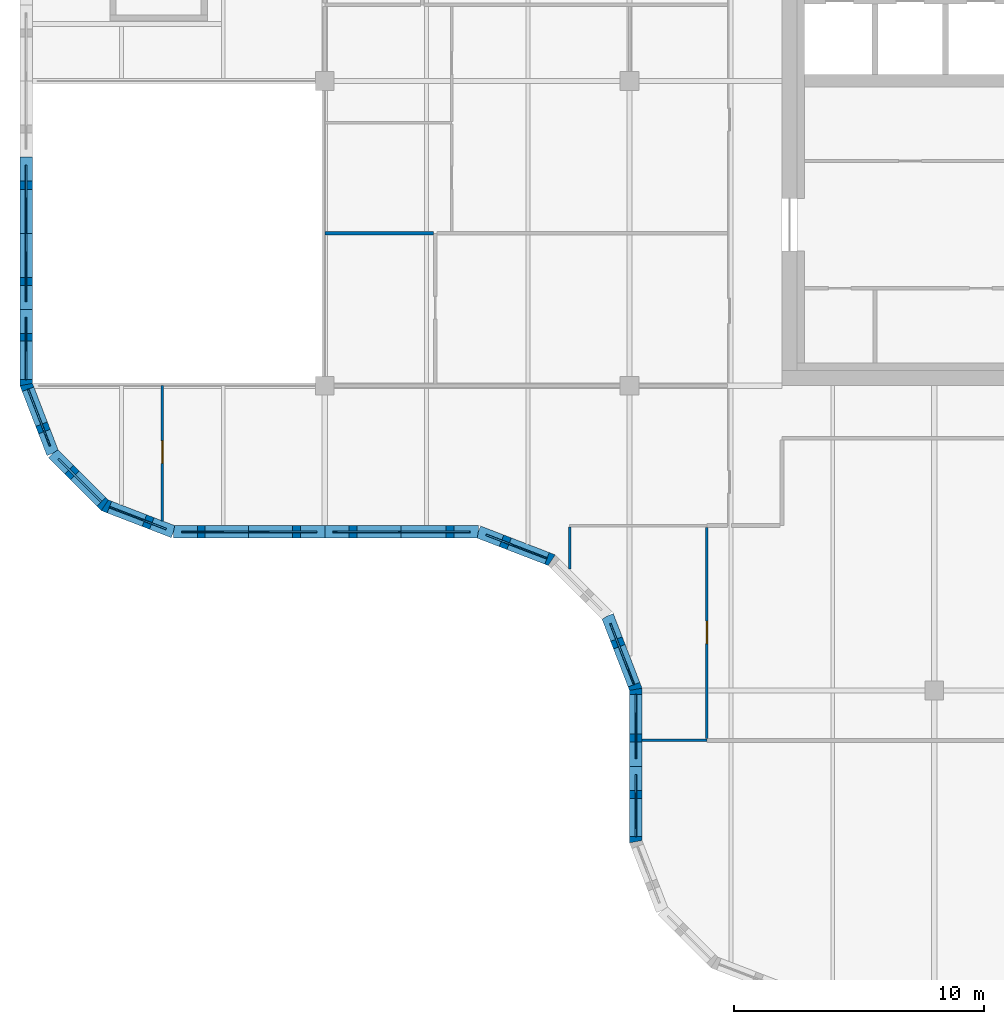
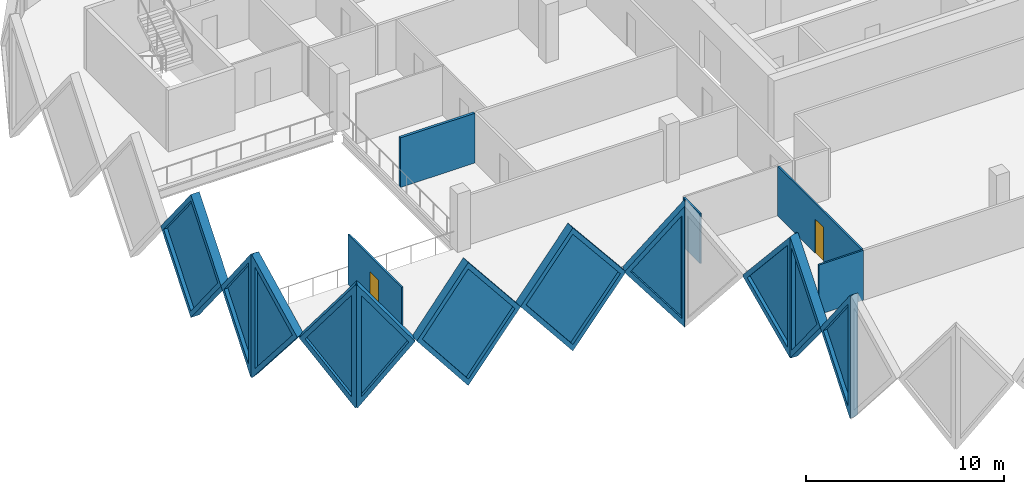
# One storey, part 3 of 11: 16 walls, 11 plates, 2 doors, 13 openings.
"""IFC4 building model written with IfcOpenShell, lengths in metres."""

from ifc_helpers import new_model, si_unit, direction, frame, frame_2d, origin, place, context, subcontext, project, spatial, polyline, rectangle, outline, extrude, faceted_brep, source, transform, mapped, material, layer, layer_set, type_object, element, fill, save


model = new_model("IFC4")

# Units and contexts
model_context = context("Model", 3, precision=1e-05, world=origin(), true_north=direction((0.0, 1.0)))
body_context = subcontext(model_context, "Body", "Model", "MODEL_VIEW")
ifc_project = project(units=[si_unit("LENGTHUNIT", "METRE"), si_unit("AREAUNIT", "SQUARE_METRE"), si_unit("VOLUMEUNIT", "CUBIC_METRE"), si_unit("PLANEANGLEUNIT", "RADIAN"), si_unit("MASSUNIT", "GRAM", prefix="KILO")], contexts=[model_context])

# Site, building, storey
site_placement = place(None, origin())
site = spatial("IfcSite", under=ifc_project, at=site_placement, CompositionType="ELEMENT")
building_placement = place(site_placement, origin())
building = spatial("IfcBuilding", under=site, at=building_placement, Name="Tessera Gate Towers", CompositionType="ELEMENT")
storey_placement = place(building_placement, frame((0.0, 0.0, 166.800048828125)))
storey = spatial("IfcBuildingStorey", under=building, at=storey_placement, Name="L41", CompositionType="ELEMENT", Elevation=166.800048828125)

# Wall
ifc_material_1 = material(Name="Glass", Category="glass")
ifc_layer_1 = layer(ifc_material_1, 0.10009765625)
ifc_layer_set_1 = layer_set([ifc_layer_1], Name="GLAZED PARTITION 100")
wall_type_1 = type_object("IfcWallType", Name="GLAZED PARTITION 100", PredefinedType="PARTITIONING", material=ifc_layer_set_1)
wall_1_placement = place(storey_placement, frame((24.89990234375, 10.199951171875, 0.0), z_axis=(0.0, 0.0, 1.0), x_axis=(1.0, 0.0, 0.0)))
element("IfcWall", 1, at=wall_1_placement, inside=storey, type_object=wall_type_1, Name="T1-L41-PW-006", PredefinedType="PARTITIONING", context=body_context, shape_type="SweptSolid", body=[
    extrude(rectangle(XDim=2.59912109375, YDim=0.10009765625, at=frame_2d((1.299560546875, 0.0))), origin(), (0.0, 0.0, 1.0), 3.06689453125),
])

# Wall, opening, door
wall_2_placement = place(storey_placement, frame((27.5, 10.27587890625, 0.0), z_axis=(0.0, 0.0, 1.0), x_axis=(0.0, 1.0, 0.0)))
wall_2 = element("IfcWall", 2, at=wall_2_placement, inside=storey, type_object=wall_type_1, Name="T1-L41-PW-008", PredefinedType="PARTITIONING", context=body_context, shape_type="SweptSolid", body=[
    extrude(rectangle(XDim=8.4482421875, YDim=0.10009765625, at=frame_2d((4.22412109375, 0.0))), origin(), (0.0, 0.0, 1.0), 3.06689453125),
])
shared_shape_1 = source(origin(), body_context, "Body", "SweptSolid", [
    extrude(rectangle(XDim=0.89990234375, YDim=2.10009765625, at=frame_2d((0.449951171875, 1.050048828125))), frame((0.0, 0.06005859375, 0.0), z_axis=(0.0, -1.0, 0.0), x_axis=(1.0, 0.0, 0.0)), (0.0, 0.0, 1.0), 0.1201171875),
])
opening_1_placement = place(wall_2_placement, frame((3.800048828125, 0.0, 0.0)))
opening_1 = element("IfcOpeningElement", 3, at=opening_1_placement, cuts=wall_2, Name="Opening D690-A15-02", PredefinedType="OPENING", context=body_context, shape_type="MappedRepresentation", body=[
    mapped(shared_shape_1, transform((0.0, 0.0, 0.0), scale=1.0)),
])
ifc_material_2 = material(Name="Glass in aluminium frame", Category="aluminium")
door_type = type_object("IfcDoorType", Name="GLAZED DOOR 900 NOT RATED", OperationType="NOTDEFINED", PredefinedType="DOOR", material=ifc_material_2)
shared_shape_2 = source(origin(), body_context, "Body", "SweptSolid", [
    extrude(rectangle(XDim=0.89990234375, YDim=2.10009765625, at=frame_2d((0.449951171875, 1.050048828125))), frame((0.0, 0.02490234375, 0.0), z_axis=(0.0, -1.0, 0.0), x_axis=(1.0, 0.0, 0.0)), (0.0, 0.0, 1.0), 0.050048828125),
])
door_1_placement = place(opening_1_placement, origin())
door_1 = element("IfcDoor", 4, at=door_1_placement, inside=storey, type_object=door_type, Name="T1-L41-PD-023", OperationType="SINGLE_SWING_LEFT", OverallHeight=2.10009765625, OverallWidth=0.89990234375, PredefinedType="DOOR", context=body_context, shape_type="MappedRepresentation", body=[
    mapped(shared_shape_2, transform((0.0, 0.0, 0.0), scale=1.0)),
])
fill(opening_1, door_1)

# Wall
wall_3_placement = place(storey_placement, frame((22.0, 17.054931640625, 0.0), z_axis=(0.0, 0.0, 1.0), x_axis=(0.0, 1.0, 0.0)))
element("IfcWall", 5, at=wall_3_placement, inside=storey, type_object=wall_type_1, Name="T1-L41-PW-012", PredefinedType="PARTITIONING", context=body_context, shape_type="SweptSolid", body=[
    extrude(rectangle(XDim=1.694091796875, YDim=0.10009765625, at=frame_2d((0.84716796875, 0.0))), origin(), (0.0, 0.0, 1.0), 3.06689453125),
])

# Wall, opening, door
wall_4_placement = place(storey_placement, frame((5.699951171875, 18.990234375, 0.0), z_axis=(0.0, 0.0, 1.0), x_axis=(0.0, 1.0, 0.0)))
wall_4 = element("IfcWall", 6, at=wall_4_placement, inside=storey, type_object=wall_type_1, Name="T1-L41-PW-020", PredefinedType="PARTITIONING", context=body_context, shape_type="SweptSolid", body=[
    extrude(rectangle(XDim=5.40966796875, YDim=0.10009765625, at=frame_2d((2.704833984375, 0.0))), origin(), (0.0, 0.0, 1.0), 3.06689453125),
])
opening_2_placement = place(wall_4_placement, frame((2.300048828125, 0.0, 0.0)))
opening_2 = element("IfcOpeningElement", 7, at=opening_2_placement, cuts=wall_4, Name="Opening D690-A15-01", PredefinedType="OPENING", context=body_context, shape_type="MappedRepresentation", body=[
    mapped(shared_shape_1, transform((0.0, 0.0, 0.0), scale=1.0)),
])
door_2_placement = place(opening_2_placement, origin())
door_2 = element("IfcDoor", 8, at=door_2_placement, inside=storey, type_object=door_type, Name="T1-L41-PD-012", OperationType="SINGLE_SWING_LEFT", OverallHeight=2.10009765625, OverallWidth=0.89990234375, PredefinedType="DOOR", context=body_context, shape_type="MappedRepresentation", body=[
    mapped(shared_shape_2, transform((0.0, 0.0, 0.0), scale=1.0)),
])
fill(opening_2, door_2)

# Wall
ifc_material_3 = material(Name="Gypsum board on steel studs, mineral wool", Category="steel")
ifc_layer_2 = layer(ifc_material_3, 0.14990234375)
ifc_layer_set_2 = layer_set([ifc_layer_2], Name="TENANCY WALL 150")
wall_type_2 = type_object("IfcWallType", Name="TENANCY WALL 150", PredefinedType="PARTITIONING", material=ifc_layer_set_2)
wall_5_placement = place(storey_placement, frame((12.199951171875, 30.5, 0.0), z_axis=(0.0, 0.0, 1.0), x_axis=(1.0, 0.0, 0.0)))
element("IfcWall", 9, at=wall_5_placement, inside=storey, type_object=wall_type_2, Name="T1-L41-PW-028", PredefinedType="PARTITIONING", context=body_context, shape_type="SweptSolid", body=[
    extrude(rectangle(XDim=4.34912109375, YDim=0.14990234375, at=frame_2d((2.174560546875, 0.0))), origin(), (0.0, 0.0, 1.0), 3.06689453125),
])

# Wall, opening, plate
ifc_material_4 = material(Name="Precast concrete C60/75 white", Category="concrete")
ifc_layer_3 = layer(ifc_material_4, 0.5)
ifc_layer_set_3 = layer_set([ifc_layer_3], Name="TS1 tessera")
wall_type_3 = type_object("IfcWallType", Name="TS1 tessera", PredefinedType="SOLIDWALL", material=ifc_layer_set_3)
shared_shape_3 = source(origin(), body_context, "Body", "Brep", [
    faceted_brep([(3.00341796875, -0.25, 0.0), (6.053466796875, -0.25, 3.800048828125), (3.00341796875, -0.25, 7.60009765625), (0.0, -0.25, 3.800048828125), (0.046630859375, 0.25, 3.85888671875), (3.00341796875, 0.25, 7.60009765625), (6.053466796875, 0.25, 3.800048828125), (3.00341796875, 0.25, 0.0), (0.046630859375, 0.25, 3.7412109375), (0.0, 0.0, 3.800048828125)], [[[0, 1, 2, 3]], [[4, 5, 6, 7, 8]], [[7, 6, 1, 0]], [[6, 5, 2, 1]], [[5, 4, 9, 3, 2]], [[8, 7, 0, 3, 9]], [[8, 9, 4]]]),
])
wall_6_placement = place(storey_placement, frame((6.146484375, 18.550048828125, -3.800048828125), z_axis=(0.0, 0.0, 1.0), x_axis=(1.0, 0.0, 0.0)))
wall_6 = element("IfcWall", 10, at=wall_6_placement, inside=storey, type_object=wall_type_3, Name="Precast tessera T1 TS1-0711", PredefinedType="SOLIDWALL", context=body_context, shape_type="MappedRepresentation", body=[
    mapped(shared_shape_3, transform((0.0, 0.0, 0.0), scale=1.0)),
])
shared_shape_4 = source(origin(), body_context, "Body", "SweptSolid", [
    extrude(outline(polyline([(3.0048828125, 0.4013671875), (5.73291015625, 3.800048828125), (3.0048828125, 7.19873046875), (0.318603515625, 3.800048828125), (3.0048828125, 0.4013671875)])), frame((0.0, 0.260009765625, 0.0), z_axis=(0.0, -1.0, 0.0), x_axis=(1.0, 0.0, 0.0)), (0.0, 0.0, 1.0), 0.52001953125),
])
opening_3_placement = place(wall_6_placement, origin())
opening_3 = element("IfcOpeningElement", 11, at=opening_3_placement, cuts=wall_6, Name="Opening T1-PL2-1447", PredefinedType="OPENING", context=body_context, shape_type="MappedRepresentation", body=[
    mapped(shared_shape_4, transform((0.0, 0.0, 0.0), scale=1.0)),
])
ifc_material_5 = material(Name="Low-e laminated glass", Category="glass")
ifc_layer_4 = layer(ifc_material_5, 0.06005859375)
ifc_layer_set_4 = layer_set([ifc_layer_4], Name="PL2 rhombic pane")
plate_type = type_object("IfcPlateType", Name="PL2 rhombic pane", PredefinedType="SHEET", material=ifc_layer_set_4)
shared_shape_5 = source(origin(), body_context, "Body", "SweptSolid", [
    extrude(outline(polyline([(3.0048828125, 0.4013671875), (5.73291015625, 3.800048828125), (3.0048828125, 7.19873046875), (0.318603515625, 3.800048828125), (3.0048828125, 0.4013671875)])), frame((0.0, 0.030029296875, 0.0), z_axis=(0.0, -1.0, 0.0), x_axis=(1.0, 0.0, 0.0)), (0.0, 0.0, 1.0), 0.06005859375),
])
plate_1_placement = place(opening_3_placement, origin())
plate_1 = element("IfcPlate", 12, at=plate_1_placement, inside=storey, type_object=plate_type, Name="Glass pane T1 PL2-1447", PredefinedType="SHEET", context=body_context, shape_type="MappedRepresentation", body=[
    mapped(shared_shape_5, transform((0.0, 0.0, 0.0), scale=1.0)),
])
fill(opening_3, plate_1)

shared_shape_6 = source(origin(), body_context, "Body", "SweptSolid", [
    extrude(outline(polyline([(3.050048828125, 0.0), (6.10009765625, 3.800048828125), (3.050048828125, 7.60009765625), (0.0, 3.800048828125), (3.050048828125, 0.0)])), frame((0.0, 0.25, 0.0), z_axis=(0.0, -1.0, 0.0), x_axis=(1.0, 0.0, 0.0)), (0.0, 0.0, 1.0), 0.5),
])
wall_7_placement = place(storey_placement, frame((0.25, 33.550048828125, -3.800048828125), z_axis=(0.0, 0.0, 1.0), x_axis=(0.0, -1.0, 0.0)))
wall_7 = element("IfcWall", 13, at=wall_7_placement, inside=storey, type_object=wall_type_3, Name="Precast tessera T1 TS1-0710", PredefinedType="SOLIDWALL", context=body_context, shape_type="MappedRepresentation", body=[
    mapped(shared_shape_6, transform((0.0, 0.0, 0.0), scale=1.0)),
])
shared_shape_7 = source(origin(), body_context, "Body", "SweptSolid", [
    extrude(outline(polyline([(3.050048828125, 0.3994140625), (5.779541015625, 3.800048828125), (3.050048828125, 7.20068359375), (0.320556640625, 3.800048828125), (3.050048828125, 0.3994140625)])), frame((0.0, 0.260009765625, 0.0), z_axis=(0.0, -1.0, 0.0), x_axis=(1.0, 0.0, 0.0)), (0.0, 0.0, 1.0), 0.52001953125),
])
opening_4_placement = place(wall_7_placement, origin())
opening_4 = element("IfcOpeningElement", 14, at=opening_4_placement, cuts=wall_7, Name="Opening T1-PL2-1442", PredefinedType="OPENING", context=body_context, shape_type="MappedRepresentation", body=[
    mapped(shared_shape_7, transform((0.0, 0.0, 0.0), scale=1.0)),
])
shared_shape_8 = source(origin(), body_context, "Body", "SweptSolid", [
    extrude(outline(polyline([(3.050048828125, 0.3994140625), (5.779541015625, 3.800048828125), (3.050048828125, 7.20068359375), (0.320556640625, 3.800048828125), (3.050048828125, 0.3994140625)])), frame((0.0, 0.030029296875, 0.0), z_axis=(0.0, -1.0, 0.0), x_axis=(1.0, 0.0, 0.0)), (0.0, 0.0, 1.0), 0.06005859375),
])
plate_2_placement = place(opening_4_placement, origin())
plate_2 = element("IfcPlate", 15, at=plate_2_placement, inside=storey, type_object=plate_type, Name="Glass pane T1 PL2-1442", PredefinedType="SHEET", context=body_context, shape_type="MappedRepresentation", body=[
    mapped(shared_shape_8, transform((0.0, 0.0, 0.0), scale=1.0)),
])
fill(opening_4, plate_2)

ifc_material_6 = material(Name="Precast concrete C60/75 white", Category="concrete")
ifc_layer_5 = layer(ifc_material_6, 0.5)
ifc_layer_set_5 = layer_set([ifc_layer_5], Name="TS3 corner tessera")
wall_type_4 = type_object("IfcWallType", Name="TS3 corner tessera", PredefinedType="SOLIDWALL", material=ifc_layer_set_5)
shared_shape_9 = source(origin(), body_context, "Body", "Brep", [
    faceted_brep([(3.00341796875, -0.25, 0.0), (3.050048828125, -0.25, 0.06005859375), (3.050048828125, -0.25, 7.5400390625), (3.00341796875, -0.25, 7.60009765625), (0.0, -0.25, 3.800048828125), (0.0, 0.25, 3.800048828125), (2.956787109375, 0.25, 7.541259765625), (2.956787109375, 0.25, 0.058837890625), (3.00341796875, 0.000244140625, 0.0), (3.00341796875, 0.000244140625, 7.60009765625)], [[[0, 1, 2, 3, 4]], [[5, 6, 7]], [[1, 0, 8]], [[9, 3, 2]], [[6, 5, 4, 3, 9]], [[5, 7, 8, 0, 4]], [[1, 8, 7, 6, 9, 2]]]),
])
wall_8_placement = place(storey_placement, frame((0.25, 27.449951171875, -3.800048828125), z_axis=(0.0, 0.0, 1.0), x_axis=(0.0, -1.0, 0.0)))
wall_8 = element("IfcWall", 16, at=wall_8_placement, inside=storey, type_object=wall_type_4, Name="Precast corner tessera T1 TS3-0949", PredefinedType="SOLIDWALL", context=body_context, shape_type="MappedRepresentation", body=[
    mapped(shared_shape_9, transform((0.0, 0.0, 0.0), scale=1.0)),
])
shared_shape_10 = source(origin(), body_context, "Body", "SweptSolid", [
    extrude(outline(polyline([(2.803466796875, 6.94384765625), (0.318603515625, 3.800048828125), (2.803466796875, 0.65625), (2.803466796875, 6.94384765625)])), frame((0.0, 0.260009765625, 0.0), z_axis=(0.0, -1.0, 0.0), x_axis=(1.0, 0.0, 0.0)), (0.0, 0.0, 1.0), 0.52001953125),
])
opening_5_placement = place(wall_8_placement, origin())
opening_5 = element("IfcOpeningElement", 17, at=opening_5_placement, cuts=wall_8, Name="Opening T1-PL2-1443", PredefinedType="OPENING", context=body_context, shape_type="MappedRepresentation", body=[
    mapped(shared_shape_10, transform((0.0, 0.0, 0.0), scale=1.0)),
])
shared_shape_11 = source(origin(), body_context, "Body", "SweptSolid", [
    extrude(outline(polyline([(2.803466796875, 6.94384765625), (0.318603515625, 3.800048828125), (2.803466796875, 0.65625), (2.803466796875, 6.94384765625)])), frame((0.0, 0.030029296875, 0.0), z_axis=(0.0, -1.0, 0.0), x_axis=(1.0, 0.0, 0.0)), (0.0, 0.0, 1.0), 0.06005859375),
])
plate_3_placement = place(opening_5_placement, origin())
plate_3 = element("IfcPlate", 18, at=plate_3_placement, inside=storey, type_object=plate_type, Name="Glass pane T1 PL2-1443", PredefinedType="SHEET", context=body_context, shape_type="MappedRepresentation", body=[
    mapped(shared_shape_11, transform((0.0, 0.0, 0.0), scale=1.0)),
])
fill(opening_5, plate_3)

wall_9_placement = place(storey_placement, frame((24.64990234375, 9.14990234375, -3.800048828125), z_axis=(0.0, 0.0, 1.0), x_axis=(0.0, -1.0, 0.0)))
wall_9 = element("IfcWall", 19, at=wall_9_placement, inside=storey, type_object=wall_type_4, Name="Precast corner tessera T1 TS3-0957", PredefinedType="SOLIDWALL", context=body_context, shape_type="MappedRepresentation", body=[
    mapped(shared_shape_9, transform((0.0, 0.0, 0.0), scale=1.0)),
])
opening_6_placement = place(wall_9_placement, origin())
opening_6 = element("IfcOpeningElement", 20, at=opening_6_placement, cuts=wall_9, Name="Opening T1-PL2-1453", PredefinedType="OPENING", context=body_context, shape_type="MappedRepresentation", body=[
    mapped(shared_shape_10, transform((0.0, 0.0, 0.0), scale=1.0)),
])
plate_4_placement = place(opening_6_placement, origin())
plate_4 = element("IfcPlate", 21, at=plate_4_placement, inside=storey, type_object=plate_type, Name="Glass pane T1 PL2-1453", PredefinedType="SHEET", context=body_context, shape_type="MappedRepresentation", body=[
    mapped(shared_shape_11, transform((0.0, 0.0, 0.0), scale=1.0)),
])
fill(opening_6, plate_4)

shared_shape_12 = source(origin(), body_context, "Body", "Brep", [
    faceted_brep([(0.046630859375, -0.25, 0.0), (2.9970703125, -0.25, 3.800048828125), (0.046630859375, -0.25, 7.60009765625), (0.0, -0.25, 7.541259765625), (0.0, -0.25, 0.058837890625), (0.09326171875, 0.25, 7.5400390625), (2.9443359375, 0.25, 3.8681640625), (2.9443359375, 0.25, 3.73193359375), (0.09326171875, 0.25, 0.06005859375), (2.9970703125, 0.00048828125, 3.800048828125), (0.046630859375, 0.0, 0.0), (0.046630859375, 0.0, 7.60009765625)], [[[0, 1, 2, 3, 4]], [[5, 6, 7, 8]], [[8, 7, 9, 1, 0, 10]], [[6, 5, 11, 2, 1, 9]], [[3, 2, 11]], [[10, 0, 4]], [[8, 10, 4, 3, 11, 5]], [[9, 7, 6]]]),
])
wall_10_placement = place(storey_placement, frame((0.233154296875, 24.489990234375, -3.800048828125), z_axis=(0.0, 0.0, 1.0), x_axis=(0.359901446078, -0.932990326376, 0.0)))
wall_10 = element("IfcWall", 22, at=wall_10_placement, inside=storey, type_object=wall_type_4, Name="Precast corner tessera T1 TS3-0950", PredefinedType="SOLIDWALL", context=body_context, shape_type="MappedRepresentation", body=[
    mapped(shared_shape_12, transform((0.0, 0.0, 0.0), scale=1.0)),
])
shared_shape_13 = source(origin(), body_context, "Body", "SweptSolid", [
    extrude(outline(polyline([(0.24658203125, 0.665283203125), (2.6806640625, 3.800048828125), (0.24658203125, 6.934814453125), (0.24658203125, 0.665283203125)])), frame((0.0, 0.260009765625, 0.0), z_axis=(0.0, -1.0, 0.0), x_axis=(1.0, 0.0, 0.0)), (0.0, 0.0, 1.0), 0.52001953125),
])
opening_7_placement = place(wall_10_placement, origin())
opening_7 = element("IfcOpeningElement", 23, at=opening_7_placement, cuts=wall_10, Name="Opening T1-PL2-1444", PredefinedType="OPENING", context=body_context, shape_type="MappedRepresentation", body=[
    mapped(shared_shape_13, transform((0.0, 0.0, 0.0), scale=1.0)),
])
shared_shape_14 = source(origin(), body_context, "Body", "SweptSolid", [
    extrude(outline(polyline([(0.24658203125, 0.665283203125), (2.6806640625, 3.800048828125), (0.24658203125, 6.934814453125), (0.24658203125, 0.665283203125)])), frame((0.0, 0.030029296875, 0.0), z_axis=(0.0, -1.0, 0.0), x_axis=(1.0, 0.0, 0.0)), (0.0, 0.0, 1.0), 0.06005859375),
])
plate_5_placement = place(opening_7_placement, origin())
plate_5 = element("IfcPlate", 24, at=plate_5_placement, inside=storey, type_object=plate_type, Name="Glass pane T1 PL2-1444", PredefinedType="SHEET", context=body_context, shape_type="MappedRepresentation", body=[
    mapped(shared_shape_14, transform((0.0, 0.0, 0.0), scale=1.0)),
])
fill(opening_7, plate_5)

shared_shape_15 = source(origin(), body_context, "Body", "Brep", [
    faceted_brep([(0.052978515625, -0.25, 0.0), (3.00341796875, -0.25, 3.800048828125), (0.052978515625, -0.25, 7.60009765625), (0.0, -0.25, 7.53173828125), (0.0, -0.25, 0.068359375), (0.10595703125, 0.25, 7.531982421875), (2.95703125, 0.25, 3.85986328125), (2.95703125, 0.25, 3.740234375), (0.10595703125, 0.25, 0.068115234375), (3.00341796875, 0.00048828125, 3.800048828125), (0.052978515625, 0.0, 0.0), (0.052978515625, 0.0, 7.60009765625)], [[[0, 1, 2, 3, 4]], [[5, 6, 7, 8]], [[8, 7, 9, 1, 0, 10]], [[6, 5, 11, 2, 1, 9]], [[3, 2, 11]], [[10, 0, 4]], [[8, 10, 4, 3, 11, 5]], [[9, 7, 6]]]),
])
wall_11_placement = place(storey_placement, frame((3.34423828125, 19.630859375, -3.800048828125), z_axis=(0.0, 0.0, 1.0), x_axis=(0.933007896601, -0.359855894603, 0.0)))
wall_11 = element("IfcWall", 25, at=wall_11_placement, inside=storey, type_object=wall_type_4, Name="Precast corner tessera T1 TS3-0952", PredefinedType="SOLIDWALL", context=body_context, shape_type="MappedRepresentation", body=[
    mapped(shared_shape_15, transform((0.0, 0.0, 0.0), scale=1.0)),
])
shared_shape_16 = source(origin(), body_context, "Body", "SweptSolid", [
    extrude(outline(polyline([(0.2529296875, 0.665283203125), (2.68701171875, 3.800048828125), (0.2529296875, 6.934814453125), (0.2529296875, 0.665283203125)])), frame((0.0, 0.260009765625, 0.0), z_axis=(0.0, -1.0, 0.0), x_axis=(1.0, 0.0, 0.0)), (0.0, 0.0, 1.0), 0.52001953125),
])
opening_8_placement = place(wall_11_placement, origin())
opening_8 = element("IfcOpeningElement", 26, at=opening_8_placement, cuts=wall_11, Name="Opening T1-PL2-1446", PredefinedType="OPENING", context=body_context, shape_type="MappedRepresentation", body=[
    mapped(shared_shape_16, transform((0.0, 0.0, 0.0), scale=1.0)),
])
shared_shape_17 = source(origin(), body_context, "Body", "SweptSolid", [
    extrude(outline(polyline([(0.2529296875, 0.665283203125), (2.68701171875, 3.800048828125), (0.2529296875, 6.934814453125), (0.2529296875, 0.665283203125)])), frame((0.0, 0.030029296875, 0.0), z_axis=(0.0, -1.0, 0.0), x_axis=(1.0, 0.0, 0.0)), (0.0, 0.0, 1.0), 0.06005859375),
])
plate_6_placement = place(opening_8_placement, origin())
plate_6 = element("IfcPlate", 27, at=plate_6_placement, inside=storey, type_object=plate_type, Name="Glass pane T1 PL2-1446", PredefinedType="SHEET", context=body_context, shape_type="MappedRepresentation", body=[
    mapped(shared_shape_17, transform((0.0, 0.0, 0.0), scale=1.0)),
])
fill(opening_8, plate_6)

shared_shape_18 = source(origin(), body_context, "Body", "Brep", [
    faceted_brep([(2.944091796875, -0.25, 0.0), (2.9970703125, -0.25, 0.068115234375), (2.9970703125, -0.25, 7.531982421875), (2.944091796875, -0.25, 7.60009765625), (0.0, -0.25, 3.800048828125), (0.052978515625, 0.25, 3.868408203125), (2.89111328125, 0.25, 7.531982421875), (2.89111328125, 0.25, 0.068115234375), (0.052978515625, 0.25, 3.731689453125), (2.944091796875, 0.000244140625, 0.0), (2.944091796875, 0.000244140625, 7.60009765625), (0.0, 0.0, 3.800048828125)], [[[0, 1, 2, 3, 4]], [[5, 6, 7, 8]], [[1, 0, 9]], [[10, 3, 2]], [[6, 5, 11, 4, 3, 10]], [[8, 7, 9, 0, 4, 11]], [[8, 11, 5]], [[1, 9, 7, 6, 10, 2]]]),
])
wall_12_placement = place(storey_placement, frame((1.31201171875, 21.69384765625, -3.800048828125), z_axis=(0.0, 0.0, 1.0), x_axis=(0.707066050402, -0.707147509625, 0.0)))
wall_12 = element("IfcWall", 28, at=wall_12_placement, inside=storey, type_object=wall_type_4, Name="Precast corner tessera T1 TS3-0951", PredefinedType="SOLIDWALL", context=body_context, shape_type="MappedRepresentation", body=[
    mapped(shared_shape_18, transform((0.0, 0.0, 0.0), scale=1.0)),
])
shared_shape_19 = source(origin(), body_context, "Body", "SweptSolid", [
    extrude(outline(polyline([(2.744140625, 6.93359375), (0.316162109375, 3.800048828125), (2.744140625, 0.666259765625), (2.744140625, 6.93359375)])), frame((0.0, 0.260009765625, 0.0), z_axis=(0.0, -1.0, 0.0), x_axis=(1.0, 0.0, 0.0)), (0.0, 0.0, 1.0), 0.52001953125),
])
opening_9_placement = place(wall_12_placement, origin())
opening_9 = element("IfcOpeningElement", 29, at=opening_9_placement, cuts=wall_12, Name="Opening T1-PL2-1445", PredefinedType="OPENING", context=body_context, shape_type="MappedRepresentation", body=[
    mapped(shared_shape_19, transform((0.0, 0.0, 0.0), scale=1.0)),
])
shared_shape_20 = source(origin(), body_context, "Body", "SweptSolid", [
    extrude(outline(polyline([(2.744140625, 6.93359375), (0.316162109375, 3.800048828125), (2.744140625, 0.666259765625), (2.744140625, 6.93359375)])), frame((0.0, 0.030029296875, 0.0), z_axis=(0.0, -1.0, 0.0), x_axis=(1.0, 0.0, 0.0)), (0.0, 0.0, 1.0), 0.06005859375),
])
plate_7_placement = place(opening_9_placement, origin())
plate_7 = element("IfcPlate", 30, at=plate_7_placement, inside=storey, type_object=plate_type, Name="Glass pane T1 PL2-1445", PredefinedType="SHEET", context=body_context, shape_type="MappedRepresentation", body=[
    mapped(shared_shape_20, transform((0.0, 0.0, 0.0), scale=1.0)),
])
fill(opening_9, plate_7)

shared_shape_21 = source(origin(), body_context, "Body", "Brep", [
    faceted_brep([(3.050048828125, -0.25, 0.0), (6.10009765625, -0.25, 3.742919921875), (6.10009765625, -0.25, 3.857177734375), (3.050048828125, -0.25, 7.60009765625), (0.0, -0.25, 3.800048828125), (0.0, 0.25, 3.800048828125), (3.050048828125, 0.25, 7.60009765625), (6.146484375, 0.25, 3.800048828125), (3.050048828125, 0.25, 0.0), (6.146484375, -0.000244140625, 3.800048828125)], [[[0, 1, 2, 3, 4]], [[5, 6, 7, 8]], [[8, 7, 9, 1, 0]], [[7, 6, 3, 2, 9]], [[6, 5, 4, 3]], [[5, 8, 0, 4]], [[1, 9, 2]]]),
])
wall_13_placement = place(storey_placement, frame((12.199951171875, 18.550048828125, -3.800048828125), z_axis=(0.0, 0.0, 1.0), x_axis=(1.0, 0.0, 0.0)))
wall_13 = element("IfcWall", 31, at=wall_13_placement, inside=storey, type_object=wall_type_3, Name="Precast tessera T1 TS1-0712", PredefinedType="SOLIDWALL", context=body_context, shape_type="MappedRepresentation", body=[
    mapped(shared_shape_21, transform((0.0, 0.0, 0.0), scale=1.0)),
])
shared_shape_22 = source(origin(), body_context, "Body", "SweptSolid", [
    extrude(outline(polyline([(3.051513671875, 0.3974609375), (5.823974609375, 3.800048828125), (3.051513671875, 7.202392578125), (0.320556640625, 3.800048828125), (3.051513671875, 0.3974609375)])), frame((0.0, 0.260009765625, 0.0), z_axis=(0.0, -1.0, 0.0), x_axis=(1.0, 0.0, 0.0)), (0.0, 0.0, 1.0), 0.52001953125),
])
opening_10_placement = place(wall_13_placement, origin())
opening_10 = element("IfcOpeningElement", 32, at=opening_10_placement, cuts=wall_13, Name="Opening T1-PL2-1448", PredefinedType="OPENING", context=body_context, shape_type="MappedRepresentation", body=[
    mapped(shared_shape_22, transform((0.0, 0.0, 0.0), scale=1.0)),
])
shared_shape_23 = source(origin(), body_context, "Body", "SweptSolid", [
    extrude(outline(polyline([(3.051513671875, 0.3974609375), (5.823974609375, 3.800048828125), (3.051513671875, 7.202392578125), (0.320556640625, 3.800048828125), (3.051513671875, 0.3974609375)])), frame((0.0, 0.030029296875, 0.0), z_axis=(0.0, -1.0, 0.0), x_axis=(1.0, 0.0, 0.0)), (0.0, 0.0, 1.0), 0.06005859375),
])
plate_8_placement = place(opening_10_placement, origin())
plate_8 = element("IfcPlate", 33, at=plate_8_placement, inside=storey, type_object=plate_type, Name="Glass pane T1 PL2-1448", PredefinedType="SHEET", context=body_context, shape_type="MappedRepresentation", body=[
    mapped(shared_shape_23, transform((0.0, 0.0, 0.0), scale=1.0)),
])
fill(opening_10, plate_8)

shared_shape_24 = source(origin(), body_context, "Body", "Brep", [
    faceted_brep([(3.096435546875, -0.25, 7.536376953125), (0.046630859375, -0.25, 3.856201171875), (0.046630859375, -0.25, 3.743896484375), (3.096435546875, -0.25, 0.063720703125), (0.0, 0.25, 3.800048828125), (3.1494140625, 0.25, 7.60009765625), (3.202392578125, 0.25, 7.536376953125), (3.202392578125, 0.25, 0.063720703125), (3.1494140625, 0.25, 0.0), (3.1494140625, -0.000244140625, 0.0), (3.1494140625, -0.000244140625, 7.60009765625), (0.0, 0.0, 3.800048828125)], [[[0, 1, 2, 3]], [[4, 5, 6, 7, 8]], [[8, 7, 9]], [[6, 5, 10]], [[5, 4, 11, 1, 0, 10]], [[4, 8, 9, 3, 2, 11]], [[11, 2, 1]], [[3, 9, 7, 6, 10, 0]]]),
])
wall_14_placement = place(storey_placement, frame((18.346435546875, 18.550048828125, -3.800048828125), z_axis=(0.0, 0.0, 1.0), x_axis=(0.932985567668, -0.359913782069, 0.0)))
wall_14 = element("IfcWall", 34, at=wall_14_placement, inside=storey, type_object=wall_type_4, Name="Precast corner tessera T1 TS3-0953", PredefinedType="SOLIDWALL", context=body_context, shape_type="MappedRepresentation", body=[
    mapped(shared_shape_24, transform((0.0, 0.0, 0.0), scale=1.0)),
])
shared_shape_25 = source(origin(), body_context, "Body", "SweptSolid", [
    extrude(outline(polyline([(2.949462890625, 6.966796875), (0.32470703125, 3.800048828125), (2.949462890625, 0.633056640625), (2.949462890625, 6.966796875)])), frame((0.0, 0.260009765625, 0.0), z_axis=(0.0, -1.0, 0.0), x_axis=(1.0, 0.0, 0.0)), (0.0, 0.0, 1.0), 0.52001953125),
])
opening_11_placement = place(wall_14_placement, origin())
opening_11 = element("IfcOpeningElement", 35, at=opening_11_placement, cuts=wall_14, Name="Opening T1-PL2-1449", PredefinedType="OPENING", context=body_context, shape_type="MappedRepresentation", body=[
    mapped(shared_shape_25, transform((0.0, 0.0, 0.0), scale=1.0)),
])
shared_shape_26 = source(origin(), body_context, "Body", "SweptSolid", [
    extrude(outline(polyline([(2.949462890625, 6.966796875), (0.32470703125, 3.800048828125), (2.949462890625, 0.633056640625), (2.949462890625, 6.966796875)])), frame((0.0, 0.030029296875, 0.0), z_axis=(0.0, -1.0, 0.0), x_axis=(1.0, 0.0, 0.0)), (0.0, 0.0, 1.0), 0.06005859375),
])
plate_9_placement = place(opening_11_placement, origin())
plate_9 = element("IfcPlate", 36, at=plate_9_placement, inside=storey, type_object=plate_type, Name="Glass pane T1 PL2-1449", PredefinedType="SHEET", context=body_context, shape_type="MappedRepresentation", body=[
    mapped(shared_shape_26, transform((0.0, 0.0, 0.0), scale=1.0)),
])
fill(opening_11, plate_9)

shared_shape_27 = source(origin(), body_context, "Body", "Brep", [
    faceted_brep([(3.10302734375, -0.25, 7.5439453125), (0.052978515625, -0.25, 3.864013671875), (0.052978515625, -0.25, 3.736083984375), (3.10302734375, -0.25, 0.05615234375), (0.0, 0.25, 3.800048828125), (3.1494140625, 0.25, 7.60009765625), (3.196044921875, 0.25, 7.54296875), (3.196044921875, 0.25, 0.05712890625), (3.1494140625, 0.25, 0.0), (3.1494140625, -0.000244140625, 0.0), (3.1494140625, -0.000244140625, 7.60009765625), (0.0, 0.0, 3.800048828125)], [[[0, 1, 2, 3]], [[4, 5, 6, 7, 8]], [[8, 7, 9]], [[6, 5, 10]], [[5, 4, 11, 1, 0, 10]], [[4, 8, 9, 3, 2, 11]], [[11, 2, 1]], [[3, 9, 7, 6, 10, 0]]]),
])
wall_15_placement = place(storey_placement, frame((23.5166015625, 15.18505859375, -3.800048828125), z_axis=(0.0, 0.0, 1.0), x_axis=(0.359864468756, -0.933004589553, 0.0)))
wall_15 = element("IfcWall", 37, at=wall_15_placement, inside=storey, type_object=wall_type_4, Name="Precast corner tessera T1 TS3-0955", PredefinedType="SOLIDWALL", context=body_context, shape_type="MappedRepresentation", body=[
    mapped(shared_shape_27, transform((0.0, 0.0, 0.0), scale=1.0)),
])
opening_12_placement = place(wall_15_placement, origin())
opening_12 = element("IfcOpeningElement", 38, at=opening_12_placement, cuts=wall_15, Name="Opening T1-PL2-1451", PredefinedType="OPENING", context=body_context, shape_type="MappedRepresentation", body=[
    mapped(shared_shape_25, transform((0.0, 0.0, 0.0), scale=1.0)),
])
plate_10_placement = place(opening_12_placement, origin())
plate_10 = element("IfcPlate", 39, at=plate_10_placement, inside=storey, type_object=plate_type, Name="Glass pane T1 PL2-1451", PredefinedType="SHEET", context=body_context, shape_type="MappedRepresentation", body=[
    mapped(shared_shape_26, transform((0.0, 0.0, 0.0), scale=1.0)),
])
fill(opening_12, plate_10)

shared_shape_28 = source(origin(), body_context, "Body", "Brep", [
    faceted_brep([(0.09326171875, -0.25, 0.05712890625), (3.14306640625, -0.25, 3.800048828125), (0.09326171875, -0.25, 7.54296875), (0.0, 0.25, 7.5439453125), (0.046630859375, 0.25, 7.60009765625), (3.14306640625, 0.25, 3.800048828125), (0.046630859375, 0.25, 0.0), (0.0, 0.25, 0.05615234375), (0.046630859375, 0.0, 0.0), (0.046630859375, 0.0, 7.60009765625)], [[[0, 1, 2]], [[3, 4, 5, 6, 7]], [[6, 5, 1, 0, 8]], [[5, 4, 9, 2, 1]], [[4, 3, 9]], [[7, 6, 8]], [[7, 8, 0, 2, 9, 3]]]),
])
wall_16_placement = place(storey_placement, frame((24.64990234375, 12.293212890625, -3.800048828125), z_axis=(0.0, 0.0, 1.0), x_axis=(0.0, -1.0, 0.0)))
wall_16 = element("IfcWall", 40, at=wall_16_placement, inside=storey, type_object=wall_type_4, Name="Precast corner tessera T1 TS3-0956", PredefinedType="SOLIDWALL", context=body_context, shape_type="MappedRepresentation", body=[
    mapped(shared_shape_28, transform((0.0, 0.0, 0.0), scale=1.0)),
])
shared_shape_29 = source(origin(), body_context, "Body", "SweptSolid", [
    extrude(outline(polyline([(0.24658203125, 0.64111328125), (2.82080078125, 3.800048828125), (0.24658203125, 6.958740234375), (0.24658203125, 0.64111328125)])), frame((0.0, 0.260009765625, 0.0), z_axis=(0.0, -1.0, 0.0), x_axis=(1.0, 0.0, 0.0)), (0.0, 0.0, 1.0), 0.52001953125),
])
opening_13_placement = place(wall_16_placement, origin())
opening_13 = element("IfcOpeningElement", 41, at=opening_13_placement, cuts=wall_16, Name="Opening T1-PL2-1452", PredefinedType="OPENING", context=body_context, shape_type="MappedRepresentation", body=[
    mapped(shared_shape_29, transform((0.0, 0.0, 0.0), scale=1.0)),
])
shared_shape_30 = source(origin(), body_context, "Body", "SweptSolid", [
    extrude(outline(polyline([(0.24658203125, 0.64111328125), (2.82080078125, 3.800048828125), (0.24658203125, 6.958740234375), (0.24658203125, 0.64111328125)])), frame((0.0, 0.030029296875, 0.0), z_axis=(0.0, -1.0, 0.0), x_axis=(1.0, 0.0, 0.0)), (0.0, 0.0, 1.0), 0.06005859375),
])
plate_11_placement = place(opening_13_placement, origin())
plate_11 = element("IfcPlate", 42, at=plate_11_placement, inside=storey, type_object=plate_type, Name="Glass pane T1 PL2-1452", PredefinedType="SHEET", context=body_context, shape_type="MappedRepresentation", body=[
    mapped(shared_shape_30, transform((0.0, 0.0, 0.0), scale=1.0)),
])
fill(opening_13, plate_11)

save(model, "model.ifc")
